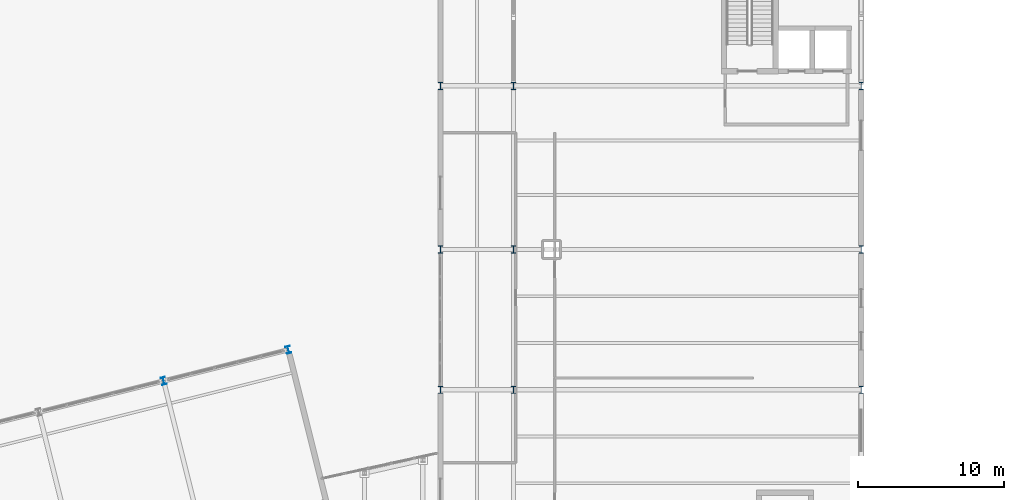
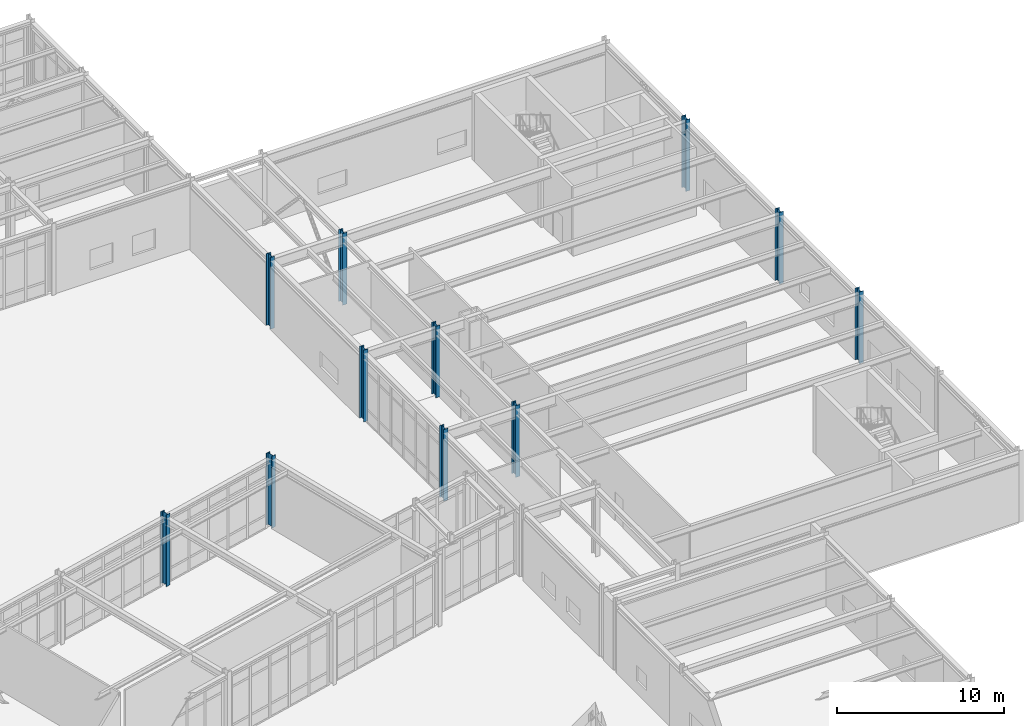
# One storey, part 16 of 109: 11 columns.
"""IFC4 building model written with IfcOpenShell, lengths in metres."""

from ifc_helpers import new_model, si_unit, direction, frame, origin, origin_2d, place, context, subcontext, project, spatial, i_section, extrude, material, material_profile, profile_set, type_object, element, save


model = new_model("IFC4")

# Units and contexts
model_context = context("Model", 3, precision=1e-05, world=origin(), true_north=direction((0.0, 1.0)))
body_context = subcontext(model_context, "Body", "Model", "MODEL_VIEW")
ifc_project = project(units=[si_unit("LENGTHUNIT", "METRE"), si_unit("AREAUNIT", "SQUARE_METRE"), si_unit("VOLUMEUNIT", "CUBIC_METRE"), si_unit("PLANEANGLEUNIT", "RADIAN"), si_unit("MASSUNIT", "GRAM", prefix="KILO")], contexts=[model_context])

# Site, building, storey
site_placement = place(None, origin())
site = spatial("IfcSite", under=ifc_project, at=site_placement, CompositionType="ELEMENT")
building_placement = place(site_placement, origin())
building = spatial("IfcBuilding", under=site, at=building_placement, Name="Nordkorset Police Headquarters", CompositionType="ELEMENT")
storey_placement = place(building_placement, origin())
storey = spatial("IfcBuildingStorey", under=building, at=storey_placement, Name="L00", CompositionType="ELEMENT", Elevation=0.0)

# Columns
ifc_material = material(Name="Steel S355J2", Category="steel")
ifc_material_profile = material_profile(ifc_material, i_section(OverallWidth=0.300048828125, OverallDepth=0.5, WebThickness=0.014404296875, FlangeThickness=0.028076171875, FilletRadius=0.027099609375, at=origin_2d()), Name="HEB 500")
ifc_profile_set = profile_set([ifc_material_profile], Name="Steel S355J2")
column_type = type_object("IfcColumnType", Name="Col_HEB_500", PredefinedType="COLUMN", material=ifc_profile_set)
for number, where, z_axis, x_axis, name in (
    (1, (86.39990234375, 67.199951171875, 0.0), (0.0, 0.0, 1.0), (1.0, 0.0, 0.0), "Structural Column V5_X0_2 L00"),
    (2, (91.39990234375, 67.199951171875, 0.0), (0.0, 0.0, 1.0), (1.0, 0.0, 0.0), "Structural Column V5_X1_2 L00"),
    (3, (115.199951171875, 67.199951171875, 0.0), (0.0, 0.0, 1.0), (1.0, 0.0, 0.0), "Structural Column V5_X2_2 L00"),
    (4, (86.39990234375, 76.800048828125, 0.0), (0.0, 0.0, 1.0), (1.0, 0.0, 0.0), "Structural Column V5_X0_3 L00"),
    (5, (91.39990234375, 76.800048828125, 0.0), (0.0, 0.0, 1.0), (1.0, 0.0, 0.0), "Structural Column V5_X1_3 L00"),
    (6, (115.199951171875, 76.800048828125, 0.0), (0.0, 0.0, 1.0), (1.0, 0.0, 0.0), "Structural Column V5_X2_3 L00"),
    (7, (86.39990234375, 88.0, 0.0), (0.0, 0.0, 1.0), (1.0, 0.0, 0.0), "Structural Column V5_X0_4 L00"),
    (8, (91.39990234375, 88.0, 0.0), (0.0, 0.0, 1.0), (1.0, 0.0, 0.0), "Structural Column V5_X1_4 L00"),
    (9, (115.199951171875, 88.0, 0.0), (0.0, 0.0, 1.0), (1.0, 0.0, 0.0), "Structural Column V5_X2_4 L00"),
    (10, (67.450439453125, 67.805908203125, 0.0), (0.0, 0.0, 1.0), (0.970142500145, 0.242535625038, 0.0), "Structural Column V4_U5_V1 L00"),
    (11, (75.98779296875, 69.940185546875, 0.0), (0.0, 0.0, 1.0), (0.970142500145, 0.242535625038, 0.0), "Structural Column V4_U6_V1 L00"),
):
    element("IfcColumn", number, at=place(storey_placement, frame(where, z_axis=z_axis, x_axis=x_axis)), inside=storey, type_object=column_type, Name=name, PredefinedType="COLUMN", context=body_context, shape_type="SweptSolid", body=[
        extrude(i_section(OverallWidth=0.300048828125, OverallDepth=0.5, WebThickness=0.014404296875, FlangeThickness=0.028076171875, FilletRadius=0.027099609375, at=origin_2d()), origin(), (0.0, 0.0, 1.0), 5.25),
    ])

save(model, "model.ifc")
